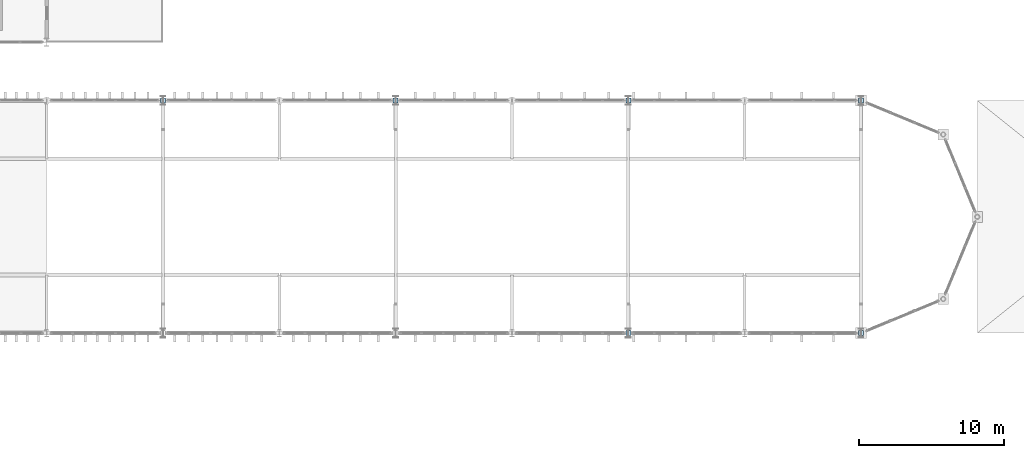
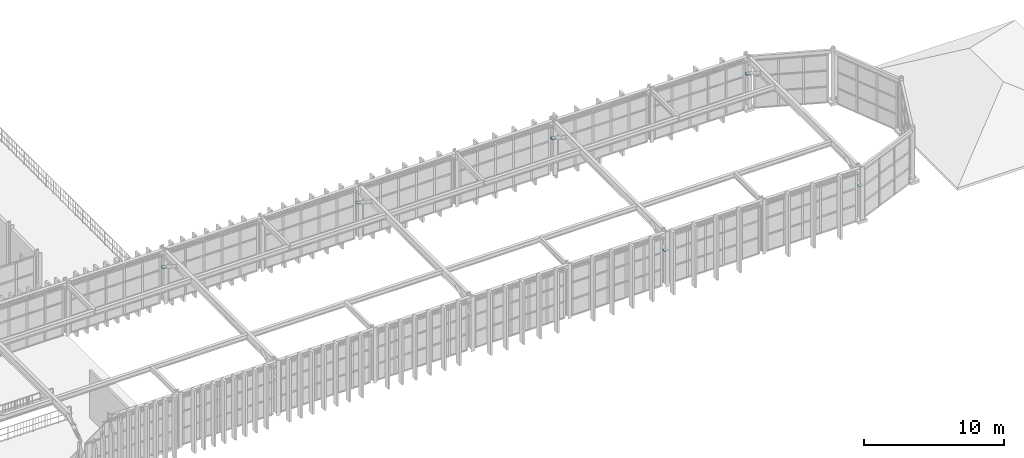
# One storey, part 48 of 61: 6 plates.
"""IFC4 building model written with IfcOpenShell, lengths in metres."""

import ifcopenshell
import ifcopenshell.guid

model = None  # the IFC model being written
_history = None  # IfcOwnerHistory: only IFC2X3 demands one
_inside = {}  # id of a spatial element -> (the spatial element, [elements in it])
_under = {}  # id of a project, library or spatial element -> (it, [spatial elements below it])
_declared = {}  # id of a project -> (the project, [libraries it declares])
_typed = {}  # id of a type object -> (the type object, [elements of that type])
_made_of = {}  # id of a material, layer set ... -> (it, [elements and type objects made of it])


def new_model(schema):
    """Start an empty IFC model of exactly this schema.

    Asked for "IFC4X3", IfcOpenShell would pick the latest addendum, in which some entities
    have other attributes; the version numbers below select the first issue.
    IFC2X3 requires an IfcOwnerHistory on every rooted entity: one is made here for all.
    """
    global model, _history
    if schema == "IFC4X3":
        model = ifcopenshell.file(schema_version=(4, 3, 0, 0))
    else:
        model = ifcopenshell.file(schema=schema)
    _inside.clear()
    _under.clear()
    _declared.clear()
    _typed.clear()
    _made_of.clear()
    _history = None
    if model.schema == "IFC2X3":
        org = make("IfcOrganization", Name="unknown")
        user = make(
            "IfcPersonAndOrganization",
            ThePerson=make("IfcPerson", FamilyName="unknown"),
            TheOrganization=org,
        )
        app = make(
            "IfcApplication",
            ApplicationDeveloper=org,
            Version="unknown",
            ApplicationFullName="unknown",
            ApplicationIdentifier="unknown",
        )
        _history = make(
            "IfcOwnerHistory",
            OwningUser=user,
            OwningApplication=app,
            ChangeAction="ADDED",
            CreationDate=0,
        )
    return model


def make(cls, **values):
    """One entity of the class cls with the attributes given. An attribute that is None is left unset."""
    return model.create_entity(
        cls, **{name: value for name, value in values.items() if value is not None}
    )


def rooted(cls, **values):
    """An entity with a GlobalId (a new one), such as an element, a storey or a relation."""
    return make(cls, GlobalId=ifcopenshell.guid.new(), OwnerHistory=_history, **values)


def si_unit(unit_type, name, prefix=None):
    """IfcSIUnit, for example si_unit("LENGTHUNIT", "METRE", prefix="MILLI")."""
    return make("IfcSIUnit", UnitType=unit_type, Prefix=prefix, Name=name)


def assignment(units):
    """IfcUnitAssignment: the units of a project."""
    return None if units is None else make("IfcUnitAssignment", Units=units)


def point(xyz):
    """IfcCartesianPoint."""
    return None if xyz is None else make("IfcCartesianPoint", Coordinates=xyz)


def direction(xyz):
    """IfcDirection."""
    return None if xyz is None else make("IfcDirection", DirectionRatios=xyz)


def frame(location, z_axis=None, x_axis=None):
    """IfcAxis2Placement3D, a coordinate frame: its origin and axes. An axis left out is left unset."""
    return make(
        "IfcAxis2Placement3D",
        Location=point(location),
        Axis=direction(z_axis),
        RefDirection=direction(x_axis),
    )


def frame_2d(location, x_axis=None):
    """IfcAxis2Placement2D, a coordinate frame in the plane: its origin and x axis."""
    return make(
        "IfcAxis2Placement2D", Location=point(location), RefDirection=direction(x_axis)
    )


def origin():
    """The frame at (0, 0, 0) with its axes left unset."""
    return frame((0.0, 0.0, 0.0))


def origin_2d():
    """The frame at (0, 0) in the plane with its x axis left unset."""
    return frame_2d((0.0, 0.0))


def place(relative_to, where):
    """IfcLocalPlacement: puts the frame where relative to a parent placement (None: the world)."""
    return make(
        "IfcLocalPlacement", PlacementRelTo=relative_to, RelativePlacement=where
    )


def context(
    kind, dimensions, precision=None, world=None, true_north=None, identifier=None
):
    """IfcGeometricRepresentationContext, for example the 3D "Model" context."""
    return make(
        "IfcGeometricRepresentationContext",
        ContextIdentifier=identifier,
        ContextType=kind,
        CoordinateSpaceDimension=dimensions,
        Precision=precision,
        WorldCoordinateSystem=world,
        TrueNorth=true_north,
    )


def subcontext(parent, identifier, kind, view, scale=None):
    """IfcGeometricRepresentationSubContext, for example "Body" below "Model"."""
    return make(
        "IfcGeometricRepresentationSubContext",
        ContextIdentifier=identifier,
        ContextType=kind,
        ParentContext=parent,
        TargetScale=scale,
        TargetView=view,
    )


def project(units=None, contexts=None):
    """IfcProject with its units and contexts."""
    return rooted(
        "IfcProject",
        Name="project",
        RepresentationContexts=contexts,
        UnitsInContext=assignment(units),
    )


def spatial(cls, under=None, at=None, **own):
    """A site, building, storey or space (cls), placed at a placement, below another one or the project."""
    s = rooted(cls, ObjectPlacement=at, **own)
    if under is not None:
        _under.setdefault(under.id(), (under, []))[1].append(s)
    return s


def profile(cls, at=None, kind="AREA", **sizes):
    """A parametric profile (cls). Its sizes go by their IFC names, for example OverallWidth=200.0."""
    return make(cls, ProfileType=kind, Position=at, **sizes)


def rectangle(**sizes):
    """IfcRectangleProfileDef."""
    return profile("IfcRectangleProfileDef", **sizes)


def extrude(swept, where, along, depth):
    """IfcExtrudedAreaSolid: the profile swept, set in the frame where, extruded along a direction by depth."""
    return make(
        "IfcExtrudedAreaSolid",
        SweptArea=swept,
        Position=where,
        ExtrudedDirection=direction(along),
        Depth=depth,
    )


def shape(context_of_items, identifier, shape_type, items):
    """IfcShapeRepresentation: the items that make up one representation, for example the "Body"."""
    return make(
        "IfcShapeRepresentation",
        ContextOfItems=context_of_items,
        RepresentationIdentifier=identifier,
        RepresentationType=shape_type,
        Items=items,
    )


def material(Name=None, Category=None):
    """IfcMaterial."""
    return make("IfcMaterial", Name=Name, Category=Category)


def layer(
    of_material, thickness, ventilated=None, Name=None, Category=None, Priority=None
):
    """IfcMaterialLayer: one layer of a wall or slab, of a material (None: an air gap)."""
    return make(
        "IfcMaterialLayer",
        Material=of_material,
        LayerThickness=thickness,
        IsVentilated=ventilated,
        Name=Name,
        Category=Category,
        Priority=Priority,
    )


def layer_set(layers, Name=None):
    """IfcMaterialLayerSet."""
    return make("IfcMaterialLayerSet", MaterialLayers=layers, LayerSetName=Name)


def made_of(thing, what):
    """Note that an element or type object is made of a material, layer set ...; save() writes the relation."""
    if what is not None:
        _made_of.setdefault(what.id(), (what, []))[1].append(thing)
    return thing


def type_object(cls, material=None, **own):
    """A type object (cls), such as IfcWallType, which elements share."""
    return made_of(rooted(cls, **own), material)


def element(
    cls,
    number,
    at=None,
    inside=None,
    cuts=None,
    type_object=None,
    material=None,
    context=None,
    identifier="Body",
    shape_type=None,
    held_by="IfcProductDefinitionShape",
    body=None,
    shapes=None,
    **own,
):
    """One element of the class cls, such as IfcWall. Its Tag is "e" and its number.

    at: its placement. inside: the storey or other place that contains it. cuts: it is an
    opening in that element (IfcRelVoidsElement). A single representation is given by context,
    identifier, shape_type and body (its items); several are given by shapes. held_by: the class
    of the entity that holds the representations. save() writes the other relations.
    """
    e = rooted(cls, Tag="e%d" % number, ObjectPlacement=at, **own)
    if body is not None:
        shapes = [shape(context, identifier, shape_type, body)]
    if shapes is not None:
        e.Representation = make(held_by, Representations=shapes)
    if inside is not None:
        _inside.setdefault(inside.id(), (inside, []))[1].append(e)
    if cuts is not None:
        rooted(
            "IfcRelVoidsElement", RelatingBuildingElement=cuts, RelatedOpeningElement=e
        )
    if type_object is not None:
        _typed.setdefault(type_object.id(), (type_object, []))[1].append(e)
    return made_of(e, material)


def aggregate(whole, parts):
    """IfcRelAggregates: a whole, such as a stair, and the parts it consists of."""
    return rooted("IfcRelAggregates", RelatingObject=whole, RelatedObjects=parts)


def save(model, path):
    """Write the relations noted so far, then the file.

    IfcRelAggregates (storeys below a building ...), IfcRelContainedInSpatialStructure (elements
    in a storey), IfcRelDefinesByType, IfcRelAssociatesMaterial and IfcRelDeclares: one each for
    every whole, place, type object, material and project.
    """
    for whole, parts in _under.values():
        aggregate(whole, parts)
    for where, things in _inside.values():
        rooted(
            "IfcRelContainedInSpatialStructure",
            RelatedElements=things,
            RelatingStructure=where,
        )
    for kind, things in _typed.values():
        rooted("IfcRelDefinesByType", RelatedObjects=things, RelatingType=kind)
    for what, things in _made_of.values():
        rooted("IfcRelAssociatesMaterial", RelatedObjects=things, RelatingMaterial=what)
    for by, libraries in _declared.values():
        rooted("IfcRelDeclares", RelatingContext=by, RelatedDefinitions=libraries)
    model.write(path)


model = new_model("IFC4")

# Units and contexts
model_context = context("Model", 3, precision=1e-05, world=origin(), true_north=direction((0.0, 1.0)))
body_context = subcontext(model_context, "Body", "Model", "MODEL_VIEW")
ifc_project = project(units=[si_unit("LENGTHUNIT", "METRE"), si_unit("AREAUNIT", "SQUARE_METRE"), si_unit("VOLUMEUNIT", "CUBIC_METRE"), si_unit("PLANEANGLEUNIT", "RADIAN"), si_unit("MASSUNIT", "GRAM", prefix="KILO")], contexts=[model_context])

# Site, building, storey
site_placement = place(None, origin())
site = spatial("IfcSite", under=ifc_project, at=site_placement, CompositionType="ELEMENT")
building_placement = place(site_placement, origin())
building = spatial("IfcBuilding", under=site, at=building_placement, Name="Serraluz Foothill Cableway Terminal", CompositionType="ELEMENT")
storey_placement = place(building_placement, frame((0.0, 0.0, 15.0)))
storey = spatial("IfcBuildingStorey", under=building, at=storey_placement, Name="L03", CompositionType="ELEMENT", Elevation=15.0)

# Plates
ifc_material = material(Name="Steel ASTM A572 Grade 50", Category="steel")
ifc_layer_1 = layer(ifc_material, 0.02001953125, Name="Steel ASTM A572 Grade 50", Category="steel")
ifc_layer_set_1 = layer_set([ifc_layer_1], Name="Steel ASTM A572 Grade 50")
plate_type_1 = type_object("IfcPlateType", Name="TYP-PL-GUS-20", PredefinedType="USERDEFINED", material=ifc_layer_set_1)
for number, where, z_axis, x_axis, name in (
    (1, (120.0, 72.0, 3.0400390625), (0.0, 0.0, 1.0), (1.0, 0.0, 0.0), "Brace End Gusset Plate PL-END-0066"),
    (2, (152.0, 56.0, 3.0400390625), (0.0, 0.0, 1.0), (1.0, 0.0, 0.0), "Brace End Gusset Plate PL-END-0087"),
):
    element("IfcPlate", number, at=place(storey_placement, frame(where, z_axis=z_axis, x_axis=x_axis)), inside=storey, type_object=plate_type_1, Name=name, ObjectType="GUSSET_PLATE", PredefinedType="USERDEFINED", context=body_context, shape_type="SweptSolid", body=[
        extrude(rectangle(XDim=0.340087890625, YDim=0.340087890625, at=origin_2d()), origin(), (0.0, 0.0, 1.0), 0.02001953125),
    ])
ifc_layer_2 = layer(ifc_material, 0.02392578125, Name="Steel ASTM A572 Grade 50", Category="steel")
ifc_layer_set_2 = layer_set([ifc_layer_2], Name="Steel ASTM A572 Grade 50")
plate_type_2 = type_object("IfcPlateType", Name="TYP-PL-GUS-24", PredefinedType="USERDEFINED", material=ifc_layer_set_2)
for number, where, z_axis, x_axis, name in (
    (3, (104.0, 72.0, 3.0380859375), (0.0, 0.0, 1.0), (1.0, 0.0, 0.0), "Brace End Gusset Plate PL-END-0055"),
    (4, (136.0, 56.0, 3.0380859375), (0.0, 0.0, 1.0), (1.0, 0.0, 0.0), "Brace End Gusset Plate PL-END-0076"),
    (5, (152.0, 72.0, 3.0380859375), (0.0, 0.0, 1.0), (1.0, 0.0, 0.0), "Brace End Gusset Plate PL-END-0088"),
):
    element("IfcPlate", number, at=place(storey_placement, frame(where, z_axis=z_axis, x_axis=x_axis)), inside=storey, type_object=plate_type_2, Name=name, ObjectType="GUSSET_PLATE", PredefinedType="USERDEFINED", context=body_context, shape_type="SweptSolid", body=[
        extrude(rectangle(XDim=0.340087890625, YDim=0.340087890625, at=origin_2d()), origin(), (0.0, 0.0, 1.0), 0.02392578125),
    ])
ifc_layer_3 = layer(ifc_material, 0.030029296875, Name="Steel ASTM A572 Grade 50", Category="steel")
ifc_layer_set_3 = layer_set([ifc_layer_3], Name="Steel ASTM A572 Grade 50")
plate_type_3 = type_object("IfcPlateType", Name="TYP-PL-GUS-30", PredefinedType="USERDEFINED", material=ifc_layer_set_3)
plate_placement = place(storey_placement, frame((136.0, 72.0, 3.03515625), z_axis=(0.0, 0.0, 1.0), x_axis=(1.0, 0.0, 0.0)))
element("IfcPlate", 6, at=plate_placement, inside=storey, type_object=plate_type_3, Name="Brace End Gusset Plate PL-END-0077", ObjectType="GUSSET_PLATE", PredefinedType="USERDEFINED", context=body_context, shape_type="SweptSolid", body=[
    extrude(rectangle(XDim=0.340087890625, YDim=0.340087890625, at=origin_2d()), origin(), (0.0, 0.0, 1.0), 0.030029296875),
])

save(model, "model.ifc")
